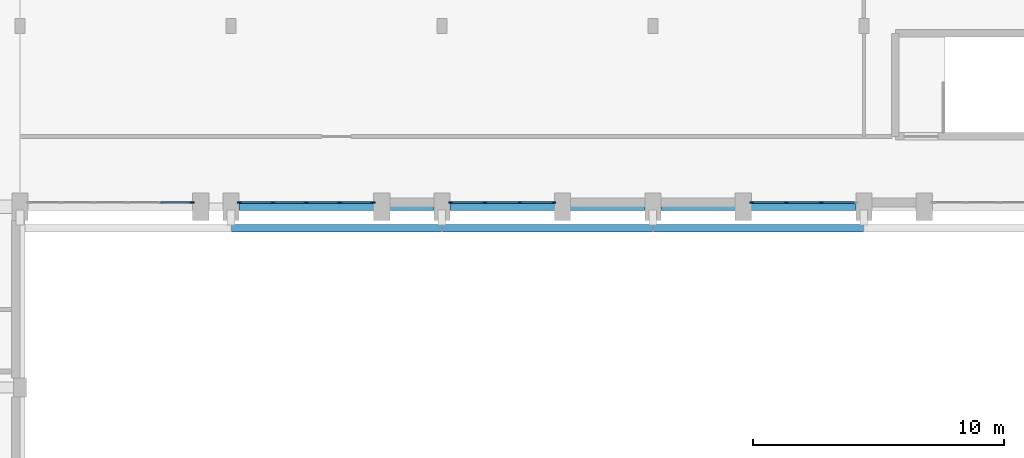
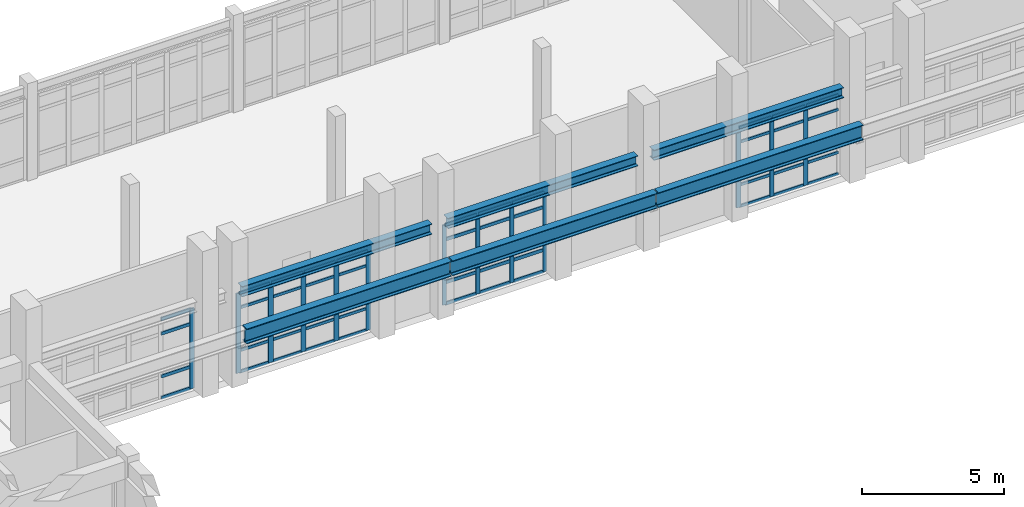
# One storey, part 89 of 147: 57 members, 6 beams, 4 elements without a shape of their own.
"""IFC4 building model written with IfcOpenShell, lengths in metres."""

from ifc_helpers import new_model, si_unit, direction, frame, origin, origin_2d, place, context, subcontext, project, spatial, rectangle, i_section, extrude, material, material_profile, profile_set, type_object, element, aggregate, save


model = new_model("IFC4")

# Units and contexts
model_context = context("Model", 3, precision=1e-05, world=origin(), true_north=direction((0.0, 1.0)))
body_context = subcontext(model_context, "Body", "Model", "MODEL_VIEW")
ifc_project = project(units=[si_unit("LENGTHUNIT", "METRE"), si_unit("AREAUNIT", "SQUARE_METRE"), si_unit("VOLUMEUNIT", "CUBIC_METRE"), si_unit("PLANEANGLEUNIT", "RADIAN"), si_unit("MASSUNIT", "GRAM", prefix="KILO")], contexts=[model_context])

# Site, building, storey
site_placement = place(None, origin())
site = spatial("IfcSite", under=ifc_project, at=site_placement, CompositionType="ELEMENT")
building_placement = place(site_placement, origin())
building = spatial("IfcBuilding", under=site, at=building_placement, Name="Malvenik Polytechnic", CompositionType="ELEMENT")
storey_placement = place(building_placement, frame((0.0, 0.0, 5.10009765625)))
storey = spatial("IfcBuildingStorey", under=building, at=storey_placement, Name="L01", CompositionType="ELEMENT", Elevation=5.10009765625)

# Curtain wall, members
ifc_material_1 = material(Name="Anodised aluminium 6060-T6", Category="aluminium")
curtain_wall_type_1 = type_object("IfcCurtainWallType", Name="ARC-CW-CW-11", PredefinedType="NOTDEFINED", material=ifc_material_1)
curtain_wall_1_placement = place(storey_placement, origin())
curtain_wall_1 = element("IfcCurtainWall", 1, at=curtain_wall_1_placement, inside=storey, type_object=curtain_wall_type_1, Name="Unitised Curtain Wall CW-11 L01 #74", PredefinedType="NOTDEFINED")
ifc_material_2 = material(Name="Anodised aluminium", Category="aluminium")
ifc_material_profile_1 = material_profile(ifc_material_2, rectangle(XDim=0.06005859375, YDim=0.159912109375, at=origin_2d()), Name="ALU MULLION 60x160")
ifc_profile_set_1 = profile_set([ifc_material_profile_1], Name="Anodised aluminium")
member_type_1 = type_object("IfcMemberType", Name="ARC-CWM-160", PredefinedType="MULLION", material=ifc_profile_set_1)
member_1_placement = place(storey_placement, frame((155.64697265625, 93.77001953125, 0.0), z_axis=(0.0, 0.0, 1.0), x_axis=(0.0, -1.0, 0.0)))
member_1 = element("IfcMember", 2, at=member_1_placement, type_object=member_type_1, Name="CW-11 mullion 1", PredefinedType="MULLION", context=body_context, shape_type="SweptSolid", body=[
    extrude(rectangle(XDim=0.06005859375, YDim=0.159912109375, at=origin_2d()), origin(), (0.0, 0.0, 1.0), 3.447998046875),
])
member_2_placement = place(storey_placement, frame((154.292236328125, 93.77001953125, 0.0), z_axis=(0.0, 0.0, 1.0), x_axis=(0.0, -1.0, 0.0)))
member_2 = element("IfcMember", 3, at=member_2_placement, type_object=member_type_1, Name="CW-11 mullion 2", PredefinedType="MULLION", context=body_context, shape_type="SweptSolid", body=[
    extrude(rectangle(XDim=0.06005859375, YDim=0.159912109375, at=origin_2d()), origin(), (0.0, 0.0, 1.0), 3.447998046875),
])
member_3_placement = place(storey_placement, frame((152.90771484375, 93.77001953125, 0.0), z_axis=(0.0, 0.0, 1.0), x_axis=(0.0, -1.0, 0.0)))
member_3 = element("IfcMember", 4, at=member_3_placement, type_object=member_type_1, Name="CW-11 mullion 3", PredefinedType="MULLION", context=body_context, shape_type="SweptSolid", body=[
    extrude(rectangle(XDim=0.06005859375, YDim=0.159912109375, at=origin_2d()), origin(), (0.0, 0.0, 1.0), 3.447998046875),
])
member_4_placement = place(storey_placement, frame((151.552978515625, 93.77001953125, 0.0), z_axis=(0.0, 0.0, 1.0), x_axis=(0.0, -1.0, 0.0)))
member_4 = element("IfcMember", 5, at=member_4_placement, type_object=member_type_1, Name="CW-11 mullion 4", PredefinedType="MULLION", context=body_context, shape_type="SweptSolid", body=[
    extrude(rectangle(XDim=0.06005859375, YDim=0.159912109375, at=origin_2d()), origin(), (0.0, 0.0, 1.0), 3.447998046875),
])

curtain_wall_2_placement = place(storey_placement, origin())
curtain_wall_2 = element("IfcCurtainWall", 6, at=curtain_wall_2_placement, inside=storey, type_object=curtain_wall_type_1, Name="Unitised Curtain Wall CW-11 L01 #73", PredefinedType="NOTDEFINED")
ifc_material_profile_2 = material_profile(ifc_material_2, rectangle(XDim=0.06005859375, YDim=0.179931640625, at=origin_2d()), Name="ALU MULLION 60x180")
ifc_profile_set_2 = profile_set([ifc_material_profile_2], Name="Anodised aluminium")
member_type_2 = type_object("IfcMemberType", Name="ARC-CWM-180", PredefinedType="MULLION", material=ifc_profile_set_2)
member_5_placement = place(storey_placement, frame((166.292236328125, 93.77001953125, 0.0), z_axis=(0.0, 0.0, 1.0), x_axis=(0.0, -1.0, 0.0)))
member_5 = element("IfcMember", 7, at=member_5_placement, type_object=member_type_2, Name="CW-11 mullion 2", PredefinedType="MULLION", context=body_context, shape_type="SweptSolid", body=[
    extrude(rectangle(XDim=0.06005859375, YDim=0.179931640625, at=origin_2d()), origin(), (0.0, 0.0, 1.0), 3.447998046875),
])
member_6_placement = place(storey_placement, frame((164.90771484375, 93.77001953125, 0.0), z_axis=(0.0, 0.0, 1.0), x_axis=(0.0, -1.0, 0.0)))
member_6 = element("IfcMember", 8, at=member_6_placement, type_object=member_type_2, Name="CW-11 mullion 3", PredefinedType="MULLION", context=body_context, shape_type="SweptSolid", body=[
    extrude(rectangle(XDim=0.06005859375, YDim=0.179931640625, at=origin_2d()), origin(), (0.0, 0.0, 1.0), 3.447998046875),
])
member_7_placement = place(storey_placement, frame((163.552978515625, 93.77001953125, 0.0), z_axis=(0.0, 0.0, 1.0), x_axis=(0.0, -1.0, 0.0)))
member_7 = element("IfcMember", 9, at=member_7_placement, type_object=member_type_2, Name="CW-11 mullion 4", PredefinedType="MULLION", context=body_context, shape_type="SweptSolid", body=[
    extrude(rectangle(XDim=0.06005859375, YDim=0.179931640625, at=origin_2d()), origin(), (0.0, 0.0, 1.0), 3.447998046875),
])

# Curtain wall, member
curtain_wall_type_2 = type_object("IfcCurtainWallType", Name="ARC-CW-CW-05", PredefinedType="NOTDEFINED", material=ifc_material_1)
curtain_wall_3_placement = place(storey_placement, origin())
curtain_wall_3 = element("IfcCurtainWall", 10, at=curtain_wall_3_placement, inside=storey, type_object=curtain_wall_type_2, Name="Unitised Curtain Wall CW-05 L01 #76", PredefinedType="NOTDEFINED")
member_8_placement = place(storey_placement, frame((141.2470703125, 93.77001953125, 0.0), z_axis=(0.0, 0.0, 1.0), x_axis=(0.0, -1.0, 0.0)))
member_8 = element("IfcMember", 11, at=member_8_placement, type_object=member_type_2, Name="CW-05 mullion 1", PredefinedType="MULLION", context=body_context, shape_type="SweptSolid", body=[
    extrude(rectangle(XDim=0.06005859375, YDim=0.179931640625, at=origin_2d()), origin(), (0.0, 0.0, 1.0), 3.447998046875),
])

# Curtain wall, members
curtain_wall_type_3 = type_object("IfcCurtainWallType", Name="ARC-CW-CW-15", PredefinedType="NOTDEFINED", material=ifc_material_1)
curtain_wall_4_placement = place(storey_placement, origin())
curtain_wall_4 = element("IfcCurtainWall", 12, at=curtain_wall_4_placement, inside=storey, type_object=curtain_wall_type_3, Name="Unitised Curtain Wall CW-15 L01 #75", PredefinedType="NOTDEFINED")
ifc_material_profile_3 = material_profile(ifc_material_2, rectangle(XDim=0.06005859375, YDim=0.199951171875, at=origin_2d()), Name="ALU MULLION 60x200")
ifc_profile_set_3 = profile_set([ifc_material_profile_3], Name="Anodised aluminium")
member_type_3 = type_object("IfcMemberType", Name="ARC-CWM-200", PredefinedType="MULLION", material=ifc_profile_set_3)
member_9_placement = place(storey_placement, frame((148.447021484375, 93.77001953125, 0.0), z_axis=(0.0, 0.0, 1.0), x_axis=(0.0, -1.0, 0.0)))
member_9 = element("IfcMember", 13, at=member_9_placement, type_object=member_type_3, Name="CW-15 mullion 1", PredefinedType="MULLION", context=body_context, shape_type="SweptSolid", body=[
    extrude(rectangle(XDim=0.06005859375, YDim=0.199951171875, at=origin_2d()), origin(), (0.0, 0.0, 1.0), 3.447998046875),
])
member_10_placement = place(storey_placement, frame((147.138427734375, 93.77001953125, 0.0), z_axis=(0.0, 0.0, 1.0), x_axis=(0.0, -1.0, 0.0)))
member_10 = element("IfcMember", 14, at=member_10_placement, type_object=member_type_3, Name="CW-15 mullion 2", PredefinedType="MULLION", context=body_context, shape_type="SweptSolid", body=[
    extrude(rectangle(XDim=0.06005859375, YDim=0.199951171875, at=origin_2d()), origin(), (0.0, 0.0, 1.0), 3.447998046875),
])
member_11_placement = place(storey_placement, frame((145.800048828125, 93.77001953125, 0.0), z_axis=(0.0, 0.0, 1.0), x_axis=(0.0, -1.0, 0.0)))
member_11 = element("IfcMember", 15, at=member_11_placement, type_object=member_type_3, Name="CW-15 mullion 3", PredefinedType="MULLION", context=body_context, shape_type="SweptSolid", body=[
    extrude(rectangle(XDim=0.06005859375, YDim=0.199951171875, at=origin_2d()), origin(), (0.0, 0.0, 1.0), 3.447998046875),
])
member_12_placement = place(storey_placement, frame((144.46142578125, 93.77001953125, 0.0), z_axis=(0.0, 0.0, 1.0), x_axis=(0.0, -1.0, 0.0)))
member_12 = element("IfcMember", 16, at=member_12_placement, type_object=member_type_3, Name="CW-15 mullion 4", PredefinedType="MULLION", context=body_context, shape_type="SweptSolid", body=[
    extrude(rectangle(XDim=0.06005859375, YDim=0.199951171875, at=origin_2d()), origin(), (0.0, 0.0, 1.0), 3.447998046875),
])
member_13_placement = place(storey_placement, frame((143.153076171875, 93.77001953125, 0.0), z_axis=(0.0, 0.0, 1.0), x_axis=(0.0, -1.0, 0.0)))
member_13 = element("IfcMember", 17, at=member_13_placement, type_object=member_type_3, Name="CW-15 mullion 5", PredefinedType="MULLION", context=body_context, shape_type="SweptSolid", body=[
    extrude(rectangle(XDim=0.06005859375, YDim=0.199951171875, at=origin_2d()), origin(), (0.0, 0.0, 1.0), 3.447998046875),
])

# Member
ifc_material_profile_4 = material_profile(ifc_material_2, rectangle(XDim=0.06005859375, YDim=0.1201171875, at=origin_2d()), Name="ALU TRANSOM 60x120")
ifc_profile_set_4 = profile_set([ifc_material_profile_4], Name="Anodised aluminium")
member_type_4 = type_object("IfcMemberType", Name="ARC-CWT-120", PredefinedType="USERDEFINED", material=ifc_profile_set_4)
member_14_placement = place(storey_placement, frame((167.616943359375, 93.77001953125, 0.02978515625), z_axis=(-1.0, 0.0, 0.0), x_axis=(0.0, -1.0, 0.0)))
member_14 = element("IfcMember", 18, at=member_14_placement, type_object=member_type_4, Name="CW-11 transom 1.1", ObjectType="TRANSOM", PredefinedType="USERDEFINED", context=body_context, shape_type="SweptSolid", body=[
    extrude(rectangle(XDim=0.06005859375, YDim=0.1201171875, at=origin_2d()), origin(), (0.0, 0.0, 1.0), 1.294677734375),
])

member_15_placement = place(storey_placement, frame((167.616943359375, 93.77001953125, 0.949951171875), z_axis=(-1.0, 0.0, 0.0), x_axis=(0.0, -1.0, 0.0)))
member_15 = element("IfcMember", 19, at=member_15_placement, type_object=member_type_4, Name="CW-11 transom 1.2", ObjectType="TRANSOM", PredefinedType="USERDEFINED", context=body_context, shape_type="SweptSolid", body=[
    extrude(rectangle(XDim=0.06005859375, YDim=0.1201171875, at=origin_2d()), origin(), (0.0, 0.0, 1.0), 1.294677734375),
])

member_16_placement = place(storey_placement, frame((167.616943359375, 93.77001953125, 2.7978515625), z_axis=(-1.0, 0.0, 0.0), x_axis=(0.0, -1.0, 0.0)))
member_16 = element("IfcMember", 20, at=member_16_placement, type_object=member_type_4, Name="CW-11 transom 1.3", ObjectType="TRANSOM", PredefinedType="USERDEFINED", context=body_context, shape_type="SweptSolid", body=[
    extrude(rectangle(XDim=0.06005859375, YDim=0.1201171875, at=origin_2d()), origin(), (0.0, 0.0, 1.0), 1.294677734375),
])

member_17_placement = place(storey_placement, frame((167.616943359375, 93.77001953125, 3.41796875), z_axis=(-1.0, 0.0, 0.0), x_axis=(0.0, -1.0, 0.0)))
member_17 = element("IfcMember", 21, at=member_17_placement, type_object=member_type_4, Name="CW-11 transom 1.4", ObjectType="TRANSOM", PredefinedType="USERDEFINED", context=body_context, shape_type="SweptSolid", body=[
    extrude(rectangle(XDim=0.06005859375, YDim=0.1201171875, at=origin_2d()), origin(), (0.0, 0.0, 1.0), 1.294677734375),
])

member_18_placement = place(storey_placement, frame((166.262451171875, 93.77001953125, 0.02978515625), z_axis=(-1.0, 0.0, 0.0), x_axis=(0.0, -1.0, 0.0)))
member_18 = element("IfcMember", 22, at=member_18_placement, type_object=member_type_4, Name="CW-11 transom 2.1", ObjectType="TRANSOM", PredefinedType="USERDEFINED", context=body_context, shape_type="SweptSolid", body=[
    extrude(rectangle(XDim=0.06005859375, YDim=0.1201171875, at=origin_2d()), origin(), (0.0, 0.0, 1.0), 1.32470703125),
])

member_19_placement = place(storey_placement, frame((166.262451171875, 93.77001953125, 0.949951171875), z_axis=(-1.0, 0.0, 0.0), x_axis=(0.0, -1.0, 0.0)))
member_19 = element("IfcMember", 23, at=member_19_placement, type_object=member_type_4, Name="CW-11 transom 2.2", ObjectType="TRANSOM", PredefinedType="USERDEFINED", context=body_context, shape_type="SweptSolid", body=[
    extrude(rectangle(XDim=0.06005859375, YDim=0.1201171875, at=origin_2d()), origin(), (0.0, 0.0, 1.0), 1.32470703125),
])

member_20_placement = place(storey_placement, frame((166.262451171875, 93.77001953125, 2.7978515625), z_axis=(-1.0, 0.0, 0.0), x_axis=(0.0, -1.0, 0.0)))
member_20 = element("IfcMember", 24, at=member_20_placement, type_object=member_type_4, Name="CW-11 transom 2.3", ObjectType="TRANSOM", PredefinedType="USERDEFINED", context=body_context, shape_type="SweptSolid", body=[
    extrude(rectangle(XDim=0.06005859375, YDim=0.1201171875, at=origin_2d()), origin(), (0.0, 0.0, 1.0), 1.32470703125),
])

member_21_placement = place(storey_placement, frame((166.262451171875, 93.77001953125, 3.41796875), z_axis=(-1.0, 0.0, 0.0), x_axis=(0.0, -1.0, 0.0)))
member_21 = element("IfcMember", 25, at=member_21_placement, type_object=member_type_4, Name="CW-11 transom 2.4", ObjectType="TRANSOM", PredefinedType="USERDEFINED", context=body_context, shape_type="SweptSolid", body=[
    extrude(rectangle(XDim=0.06005859375, YDim=0.1201171875, at=origin_2d()), origin(), (0.0, 0.0, 1.0), 1.32470703125),
])

member_22_placement = place(storey_placement, frame((164.877685546875, 93.77001953125, 0.02978515625), z_axis=(-1.0, 0.0, 0.0), x_axis=(0.0, -1.0, 0.0)))
member_22 = element("IfcMember", 26, at=member_22_placement, type_object=member_type_4, Name="CW-11 transom 3.1", ObjectType="TRANSOM", PredefinedType="USERDEFINED", context=body_context, shape_type="SweptSolid", body=[
    extrude(rectangle(XDim=0.06005859375, YDim=0.1201171875, at=origin_2d()), origin(), (0.0, 0.0, 1.0), 1.294677734375),
])

member_23_placement = place(storey_placement, frame((164.877685546875, 93.77001953125, 0.949951171875), z_axis=(-1.0, 0.0, 0.0), x_axis=(0.0, -1.0, 0.0)))
member_23 = element("IfcMember", 27, at=member_23_placement, type_object=member_type_4, Name="CW-11 transom 3.2", ObjectType="TRANSOM", PredefinedType="USERDEFINED", context=body_context, shape_type="SweptSolid", body=[
    extrude(rectangle(XDim=0.06005859375, YDim=0.1201171875, at=origin_2d()), origin(), (0.0, 0.0, 1.0), 1.294677734375),
])

member_24_placement = place(storey_placement, frame((164.877685546875, 93.77001953125, 2.7978515625), z_axis=(-1.0, 0.0, 0.0), x_axis=(0.0, -1.0, 0.0)))
member_24 = element("IfcMember", 28, at=member_24_placement, type_object=member_type_4, Name="CW-11 transom 3.3", ObjectType="TRANSOM", PredefinedType="USERDEFINED", context=body_context, shape_type="SweptSolid", body=[
    extrude(rectangle(XDim=0.06005859375, YDim=0.1201171875, at=origin_2d()), origin(), (0.0, 0.0, 1.0), 1.294677734375),
])

member_25_placement = place(storey_placement, frame((164.877685546875, 93.77001953125, 3.41796875), z_axis=(-1.0, 0.0, 0.0), x_axis=(0.0, -1.0, 0.0)))
member_25 = element("IfcMember", 29, at=member_25_placement, type_object=member_type_4, Name="CW-11 transom 3.4", ObjectType="TRANSOM", PredefinedType="USERDEFINED", context=body_context, shape_type="SweptSolid", body=[
    extrude(rectangle(XDim=0.06005859375, YDim=0.1201171875, at=origin_2d()), origin(), (0.0, 0.0, 1.0), 1.294677734375),
])

aggregate(curtain_wall_2, [member_5, member_6, member_7, member_14, member_15, member_16, member_17, member_18, member_19, member_20, member_21, member_22, member_23, member_24, member_25])

member_26_placement = place(storey_placement, frame((148.4169921875, 93.77001953125, 0.02978515625), z_axis=(-1.0, 0.0, 0.0), x_axis=(0.0, -1.0, 0.0)))
member_26 = element("IfcMember", 30, at=member_26_placement, type_object=member_type_4, Name="CW-15 transom 1.1", ObjectType="TRANSOM", PredefinedType="USERDEFINED", context=body_context, shape_type="SweptSolid", body=[
    extrude(rectangle(XDim=0.06005859375, YDim=0.1201171875, at=origin_2d()), origin(), (0.0, 0.0, 1.0), 1.24853515625),
])

member_27_placement = place(storey_placement, frame((148.4169921875, 93.77001953125, 0.949951171875), z_axis=(-1.0, 0.0, 0.0), x_axis=(0.0, -1.0, 0.0)))
member_27 = element("IfcMember", 31, at=member_27_placement, type_object=member_type_4, Name="CW-15 transom 1.2", ObjectType="TRANSOM", PredefinedType="USERDEFINED", context=body_context, shape_type="SweptSolid", body=[
    extrude(rectangle(XDim=0.06005859375, YDim=0.1201171875, at=origin_2d()), origin(), (0.0, 0.0, 1.0), 1.24853515625),
])

member_28_placement = place(storey_placement, frame((148.4169921875, 93.77001953125, 2.7978515625), z_axis=(-1.0, 0.0, 0.0), x_axis=(0.0, -1.0, 0.0)))
member_28 = element("IfcMember", 32, at=member_28_placement, type_object=member_type_4, Name="CW-15 transom 1.3", ObjectType="TRANSOM", PredefinedType="USERDEFINED", context=body_context, shape_type="SweptSolid", body=[
    extrude(rectangle(XDim=0.06005859375, YDim=0.1201171875, at=origin_2d()), origin(), (0.0, 0.0, 1.0), 1.24853515625),
])

member_29_placement = place(storey_placement, frame((148.4169921875, 93.77001953125, 3.41796875), z_axis=(-1.0, 0.0, 0.0), x_axis=(0.0, -1.0, 0.0)))
member_29 = element("IfcMember", 33, at=member_29_placement, type_object=member_type_4, Name="CW-15 transom 1.4", ObjectType="TRANSOM", PredefinedType="USERDEFINED", context=body_context, shape_type="SweptSolid", body=[
    extrude(rectangle(XDim=0.06005859375, YDim=0.1201171875, at=origin_2d()), origin(), (0.0, 0.0, 1.0), 1.24853515625),
])

member_30_placement = place(storey_placement, frame((147.1083984375, 93.77001953125, 0.02978515625), z_axis=(-1.0, 0.0, 0.0), x_axis=(0.0, -1.0, 0.0)))
member_30 = element("IfcMember", 34, at=member_30_placement, type_object=member_type_4, Name="CW-15 transom 2.1", ObjectType="TRANSOM", PredefinedType="USERDEFINED", context=body_context, shape_type="SweptSolid", body=[
    extrude(rectangle(XDim=0.06005859375, YDim=0.1201171875, at=origin_2d()), origin(), (0.0, 0.0, 1.0), 1.2783203125),
])

member_31_placement = place(storey_placement, frame((147.1083984375, 93.77001953125, 0.949951171875), z_axis=(-1.0, 0.0, 0.0), x_axis=(0.0, -1.0, 0.0)))
member_31 = element("IfcMember", 35, at=member_31_placement, type_object=member_type_4, Name="CW-15 transom 2.2", ObjectType="TRANSOM", PredefinedType="USERDEFINED", context=body_context, shape_type="SweptSolid", body=[
    extrude(rectangle(XDim=0.06005859375, YDim=0.1201171875, at=origin_2d()), origin(), (0.0, 0.0, 1.0), 1.2783203125),
])

member_32_placement = place(storey_placement, frame((147.1083984375, 93.77001953125, 2.7978515625), z_axis=(-1.0, 0.0, 0.0), x_axis=(0.0, -1.0, 0.0)))
member_32 = element("IfcMember", 36, at=member_32_placement, type_object=member_type_4, Name="CW-15 transom 2.3", ObjectType="TRANSOM", PredefinedType="USERDEFINED", context=body_context, shape_type="SweptSolid", body=[
    extrude(rectangle(XDim=0.06005859375, YDim=0.1201171875, at=origin_2d()), origin(), (0.0, 0.0, 1.0), 1.2783203125),
])

member_33_placement = place(storey_placement, frame((147.1083984375, 93.77001953125, 3.41796875), z_axis=(-1.0, 0.0, 0.0), x_axis=(0.0, -1.0, 0.0)))
member_33 = element("IfcMember", 37, at=member_33_placement, type_object=member_type_4, Name="CW-15 transom 2.4", ObjectType="TRANSOM", PredefinedType="USERDEFINED", context=body_context, shape_type="SweptSolid", body=[
    extrude(rectangle(XDim=0.06005859375, YDim=0.1201171875, at=origin_2d()), origin(), (0.0, 0.0, 1.0), 1.2783203125),
])

member_34_placement = place(storey_placement, frame((145.77001953125, 93.77001953125, 0.02978515625), z_axis=(-1.0, 0.0, 0.0), x_axis=(0.0, -1.0, 0.0)))
member_34 = element("IfcMember", 38, at=member_34_placement, type_object=member_type_4, Name="CW-15 transom 3.1", ObjectType="TRANSOM", PredefinedType="USERDEFINED", context=body_context, shape_type="SweptSolid", body=[
    extrude(rectangle(XDim=0.06005859375, YDim=0.1201171875, at=origin_2d()), origin(), (0.0, 0.0, 1.0), 1.278564453125),
])

member_35_placement = place(storey_placement, frame((145.77001953125, 93.77001953125, 0.949951171875), z_axis=(-1.0, 0.0, 0.0), x_axis=(0.0, -1.0, 0.0)))
member_35 = element("IfcMember", 39, at=member_35_placement, type_object=member_type_4, Name="CW-15 transom 3.2", ObjectType="TRANSOM", PredefinedType="USERDEFINED", context=body_context, shape_type="SweptSolid", body=[
    extrude(rectangle(XDim=0.06005859375, YDim=0.1201171875, at=origin_2d()), origin(), (0.0, 0.0, 1.0), 1.278564453125),
])

member_36_placement = place(storey_placement, frame((145.77001953125, 93.77001953125, 2.7978515625), z_axis=(-1.0, 0.0, 0.0), x_axis=(0.0, -1.0, 0.0)))
member_36 = element("IfcMember", 40, at=member_36_placement, type_object=member_type_4, Name="CW-15 transom 3.3", ObjectType="TRANSOM", PredefinedType="USERDEFINED", context=body_context, shape_type="SweptSolid", body=[
    extrude(rectangle(XDim=0.06005859375, YDim=0.1201171875, at=origin_2d()), origin(), (0.0, 0.0, 1.0), 1.278564453125),
])

member_37_placement = place(storey_placement, frame((145.77001953125, 93.77001953125, 3.41796875), z_axis=(-1.0, 0.0, 0.0), x_axis=(0.0, -1.0, 0.0)))
member_37 = element("IfcMember", 41, at=member_37_placement, type_object=member_type_4, Name="CW-15 transom 3.4", ObjectType="TRANSOM", PredefinedType="USERDEFINED", context=body_context, shape_type="SweptSolid", body=[
    extrude(rectangle(XDim=0.06005859375, YDim=0.1201171875, at=origin_2d()), origin(), (0.0, 0.0, 1.0), 1.278564453125),
])

member_38_placement = place(storey_placement, frame((144.431396484375, 93.77001953125, 0.02978515625), z_axis=(-1.0, 0.0, 0.0), x_axis=(0.0, -1.0, 0.0)))
member_38 = element("IfcMember", 42, at=member_38_placement, type_object=member_type_4, Name="CW-15 transom 4.1", ObjectType="TRANSOM", PredefinedType="USERDEFINED", context=body_context, shape_type="SweptSolid", body=[
    extrude(rectangle(XDim=0.06005859375, YDim=0.1201171875, at=origin_2d()), origin(), (0.0, 0.0, 1.0), 1.248291015625),
])

member_39_placement = place(storey_placement, frame((144.431396484375, 93.77001953125, 0.949951171875), z_axis=(-1.0, 0.0, 0.0), x_axis=(0.0, -1.0, 0.0)))
member_39 = element("IfcMember", 43, at=member_39_placement, type_object=member_type_4, Name="CW-15 transom 4.2", ObjectType="TRANSOM", PredefinedType="USERDEFINED", context=body_context, shape_type="SweptSolid", body=[
    extrude(rectangle(XDim=0.06005859375, YDim=0.1201171875, at=origin_2d()), origin(), (0.0, 0.0, 1.0), 1.248291015625),
])

member_40_placement = place(storey_placement, frame((144.431396484375, 93.77001953125, 2.7978515625), z_axis=(-1.0, 0.0, 0.0), x_axis=(0.0, -1.0, 0.0)))
member_40 = element("IfcMember", 44, at=member_40_placement, type_object=member_type_4, Name="CW-15 transom 4.3", ObjectType="TRANSOM", PredefinedType="USERDEFINED", context=body_context, shape_type="SweptSolid", body=[
    extrude(rectangle(XDim=0.06005859375, YDim=0.1201171875, at=origin_2d()), origin(), (0.0, 0.0, 1.0), 1.248291015625),
])

member_41_placement = place(storey_placement, frame((144.431396484375, 93.77001953125, 3.41796875), z_axis=(-1.0, 0.0, 0.0), x_axis=(0.0, -1.0, 0.0)))
member_41 = element("IfcMember", 45, at=member_41_placement, type_object=member_type_4, Name="CW-15 transom 4.4", ObjectType="TRANSOM", PredefinedType="USERDEFINED", context=body_context, shape_type="SweptSolid", body=[
    extrude(rectangle(XDim=0.06005859375, YDim=0.1201171875, at=origin_2d()), origin(), (0.0, 0.0, 1.0), 1.248291015625),
])

aggregate(curtain_wall_4, [member_9, member_10, member_11, member_12, member_13, member_26, member_27, member_28, member_29, member_30, member_31, member_32, member_33, member_34, member_35, member_36, member_37, member_38, member_39, member_40, member_41])

ifc_material_profile_5 = material_profile(ifc_material_2, rectangle(XDim=0.06005859375, YDim=0.139892578125, at=origin_2d()), Name="ALU TRANSOM 60x140")
ifc_profile_set_5 = profile_set([ifc_material_profile_5], Name="Anodised aluminium")
member_type_5 = type_object("IfcMemberType", Name="ARC-CWT-140", PredefinedType="USERDEFINED", material=ifc_profile_set_5)
member_42_placement = place(storey_placement, frame((155.616943359375, 93.77001953125, 0.02978515625), z_axis=(-1.0, 0.0, 0.0), x_axis=(0.0, -1.0, 0.0)))
member_42 = element("IfcMember", 46, at=member_42_placement, type_object=member_type_5, Name="CW-11 transom 1.1", ObjectType="TRANSOM", PredefinedType="USERDEFINED", context=body_context, shape_type="SweptSolid", body=[
    extrude(rectangle(XDim=0.06005859375, YDim=0.139892578125, at=origin_2d()), origin(), (0.0, 0.0, 1.0), 1.294677734375),
])

member_43_placement = place(storey_placement, frame((155.616943359375, 93.77001953125, 0.949951171875), z_axis=(-1.0, 0.0, 0.0), x_axis=(0.0, -1.0, 0.0)))
member_43 = element("IfcMember", 47, at=member_43_placement, type_object=member_type_5, Name="CW-11 transom 1.2", ObjectType="TRANSOM", PredefinedType="USERDEFINED", context=body_context, shape_type="SweptSolid", body=[
    extrude(rectangle(XDim=0.06005859375, YDim=0.139892578125, at=origin_2d()), origin(), (0.0, 0.0, 1.0), 1.294677734375),
])

member_44_placement = place(storey_placement, frame((155.616943359375, 93.77001953125, 2.7978515625), z_axis=(-1.0, 0.0, 0.0), x_axis=(0.0, -1.0, 0.0)))
member_44 = element("IfcMember", 48, at=member_44_placement, type_object=member_type_5, Name="CW-11 transom 1.3", ObjectType="TRANSOM", PredefinedType="USERDEFINED", context=body_context, shape_type="SweptSolid", body=[
    extrude(rectangle(XDim=0.06005859375, YDim=0.139892578125, at=origin_2d()), origin(), (0.0, 0.0, 1.0), 1.294677734375),
])

member_45_placement = place(storey_placement, frame((155.616943359375, 93.77001953125, 3.41796875), z_axis=(-1.0, 0.0, 0.0), x_axis=(0.0, -1.0, 0.0)))
member_45 = element("IfcMember", 49, at=member_45_placement, type_object=member_type_5, Name="CW-11 transom 1.4", ObjectType="TRANSOM", PredefinedType="USERDEFINED", context=body_context, shape_type="SweptSolid", body=[
    extrude(rectangle(XDim=0.06005859375, YDim=0.139892578125, at=origin_2d()), origin(), (0.0, 0.0, 1.0), 1.294677734375),
])

member_46_placement = place(storey_placement, frame((154.262451171875, 93.77001953125, 0.02978515625), z_axis=(-1.0, 0.0, 0.0), x_axis=(0.0, -1.0, 0.0)))
member_46 = element("IfcMember", 50, at=member_46_placement, type_object=member_type_5, Name="CW-11 transom 2.1", ObjectType="TRANSOM", PredefinedType="USERDEFINED", context=body_context, shape_type="SweptSolid", body=[
    extrude(rectangle(XDim=0.06005859375, YDim=0.139892578125, at=origin_2d()), origin(), (0.0, 0.0, 1.0), 1.32470703125),
])

member_47_placement = place(storey_placement, frame((154.262451171875, 93.77001953125, 0.949951171875), z_axis=(-1.0, 0.0, 0.0), x_axis=(0.0, -1.0, 0.0)))
member_47 = element("IfcMember", 51, at=member_47_placement, type_object=member_type_5, Name="CW-11 transom 2.2", ObjectType="TRANSOM", PredefinedType="USERDEFINED", context=body_context, shape_type="SweptSolid", body=[
    extrude(rectangle(XDim=0.06005859375, YDim=0.139892578125, at=origin_2d()), origin(), (0.0, 0.0, 1.0), 1.32470703125),
])

member_48_placement = place(storey_placement, frame((154.262451171875, 93.77001953125, 2.7978515625), z_axis=(-1.0, 0.0, 0.0), x_axis=(0.0, -1.0, 0.0)))
member_48 = element("IfcMember", 52, at=member_48_placement, type_object=member_type_5, Name="CW-11 transom 2.3", ObjectType="TRANSOM", PredefinedType="USERDEFINED", context=body_context, shape_type="SweptSolid", body=[
    extrude(rectangle(XDim=0.06005859375, YDim=0.139892578125, at=origin_2d()), origin(), (0.0, 0.0, 1.0), 1.32470703125),
])

member_49_placement = place(storey_placement, frame((154.262451171875, 93.77001953125, 3.41796875), z_axis=(-1.0, 0.0, 0.0), x_axis=(0.0, -1.0, 0.0)))
member_49 = element("IfcMember", 53, at=member_49_placement, type_object=member_type_5, Name="CW-11 transom 2.4", ObjectType="TRANSOM", PredefinedType="USERDEFINED", context=body_context, shape_type="SweptSolid", body=[
    extrude(rectangle(XDim=0.06005859375, YDim=0.139892578125, at=origin_2d()), origin(), (0.0, 0.0, 1.0), 1.32470703125),
])

member_50_placement = place(storey_placement, frame((152.877685546875, 93.77001953125, 0.02978515625), z_axis=(-1.0, 0.0, 0.0), x_axis=(0.0, -1.0, 0.0)))
member_50 = element("IfcMember", 54, at=member_50_placement, type_object=member_type_5, Name="CW-11 transom 3.1", ObjectType="TRANSOM", PredefinedType="USERDEFINED", context=body_context, shape_type="SweptSolid", body=[
    extrude(rectangle(XDim=0.06005859375, YDim=0.139892578125, at=origin_2d()), origin(), (0.0, 0.0, 1.0), 1.294677734375),
])

member_51_placement = place(storey_placement, frame((152.877685546875, 93.77001953125, 0.949951171875), z_axis=(-1.0, 0.0, 0.0), x_axis=(0.0, -1.0, 0.0)))
member_51 = element("IfcMember", 55, at=member_51_placement, type_object=member_type_5, Name="CW-11 transom 3.2", ObjectType="TRANSOM", PredefinedType="USERDEFINED", context=body_context, shape_type="SweptSolid", body=[
    extrude(rectangle(XDim=0.06005859375, YDim=0.139892578125, at=origin_2d()), origin(), (0.0, 0.0, 1.0), 1.294677734375),
])

member_52_placement = place(storey_placement, frame((152.877685546875, 93.77001953125, 2.7978515625), z_axis=(-1.0, 0.0, 0.0), x_axis=(0.0, -1.0, 0.0)))
member_52 = element("IfcMember", 56, at=member_52_placement, type_object=member_type_5, Name="CW-11 transom 3.3", ObjectType="TRANSOM", PredefinedType="USERDEFINED", context=body_context, shape_type="SweptSolid", body=[
    extrude(rectangle(XDim=0.06005859375, YDim=0.139892578125, at=origin_2d()), origin(), (0.0, 0.0, 1.0), 1.294677734375),
])

member_53_placement = place(storey_placement, frame((152.877685546875, 93.77001953125, 3.41796875), z_axis=(-1.0, 0.0, 0.0), x_axis=(0.0, -1.0, 0.0)))
member_53 = element("IfcMember", 57, at=member_53_placement, type_object=member_type_5, Name="CW-11 transom 3.4", ObjectType="TRANSOM", PredefinedType="USERDEFINED", context=body_context, shape_type="SweptSolid", body=[
    extrude(rectangle(XDim=0.06005859375, YDim=0.139892578125, at=origin_2d()), origin(), (0.0, 0.0, 1.0), 1.294677734375),
])

aggregate(curtain_wall_1, [member_1, member_2, member_3, member_4, member_42, member_43, member_44, member_45, member_46, member_47, member_48, member_49, member_50, member_51, member_52, member_53])

member_54_placement = place(storey_placement, frame((141.217041015625, 93.77001953125, 0.02978515625), z_axis=(-1.0, 0.0, 0.0), x_axis=(0.0, -1.0, 0.0)))
member_54 = element("IfcMember", 58, at=member_54_placement, type_object=member_type_5, Name="CW-05 transom 1.1", ObjectType="TRANSOM", PredefinedType="USERDEFINED", context=body_context, shape_type="SweptSolid", body=[
    extrude(rectangle(XDim=0.06005859375, YDim=0.139892578125, at=origin_2d()), origin(), (0.0, 0.0, 1.0), 1.220947265625),
])

member_55_placement = place(storey_placement, frame((141.217041015625, 93.77001953125, 0.949951171875), z_axis=(-1.0, 0.0, 0.0), x_axis=(0.0, -1.0, 0.0)))
member_55 = element("IfcMember", 59, at=member_55_placement, type_object=member_type_5, Name="CW-05 transom 1.2", ObjectType="TRANSOM", PredefinedType="USERDEFINED", context=body_context, shape_type="SweptSolid", body=[
    extrude(rectangle(XDim=0.06005859375, YDim=0.139892578125, at=origin_2d()), origin(), (0.0, 0.0, 1.0), 1.220947265625),
])

member_56_placement = place(storey_placement, frame((141.217041015625, 93.77001953125, 2.7978515625), z_axis=(-1.0, 0.0, 0.0), x_axis=(0.0, -1.0, 0.0)))
member_56 = element("IfcMember", 60, at=member_56_placement, type_object=member_type_5, Name="CW-05 transom 1.3", ObjectType="TRANSOM", PredefinedType="USERDEFINED", context=body_context, shape_type="SweptSolid", body=[
    extrude(rectangle(XDim=0.06005859375, YDim=0.139892578125, at=origin_2d()), origin(), (0.0, 0.0, 1.0), 1.220947265625),
])

member_57_placement = place(storey_placement, frame((141.217041015625, 93.77001953125, 3.41796875), z_axis=(-1.0, 0.0, 0.0), x_axis=(0.0, -1.0, 0.0)))
member_57 = element("IfcMember", 61, at=member_57_placement, type_object=member_type_5, Name="CW-05 transom 1.4", ObjectType="TRANSOM", PredefinedType="USERDEFINED", context=body_context, shape_type="SweptSolid", body=[
    extrude(rectangle(XDim=0.06005859375, YDim=0.139892578125, at=origin_2d()), origin(), (0.0, 0.0, 1.0), 1.220947265625),
])

aggregate(curtain_wall_3, [member_8, member_54, member_55, member_56, member_57])

# Beams
ifc_material_3 = material(Name="Steel S355", Category="steel")
ifc_material_profile_6 = material_profile(ifc_material_3, i_section(OverallWidth=0.300048828125, OverallDepth=0.64990234375, WebThickness=0.01611328125, FlangeThickness=0.031005859375, FilletRadius=0.027099609375, at=origin_2d()), Name="HEB 650")
ifc_profile_set_6 = profile_set([ifc_material_profile_6], Name="Steel S355")
beam_type_1 = type_object("IfcBeamType", Name="STR-BM-CB-01", PredefinedType="BEAM", material=ifc_profile_set_6)
beam_1_placement = place(storey_placement, frame((142.820068359375, 92.75, 2.375), z_axis=(1.0, 0.0, 0.0), x_axis=(0.0, 1.0, 0.0)))
element("IfcBeam", 62, at=beam_1_placement, inside=storey, type_object=beam_type_1, Name="100 kN Crane Runway Girder CB-01 #2.2", PredefinedType="BEAM", context=body_context, shape_type="SweptSolid", body=[
    extrude(i_section(OverallWidth=0.300048828125, OverallDepth=0.64990234375, WebThickness=0.01611328125, FlangeThickness=0.031005859375, FilletRadius=0.027099609375, at=origin_2d()), origin(), (0.0, 0.0, 1.0), 8.35986328125),
])
beam_2_placement = place(storey_placement, frame((151.219970703125, 92.75, 2.375), z_axis=(1.0, 0.0, 0.0), x_axis=(0.0, 1.0, 0.0)))
element("IfcBeam", 63, at=beam_2_placement, inside=storey, type_object=beam_type_1, Name="100 kN Crane Runway Girder CB-01 #2.3", PredefinedType="BEAM", context=body_context, shape_type="SweptSolid", body=[
    extrude(i_section(OverallWidth=0.300048828125, OverallDepth=0.64990234375, WebThickness=0.01611328125, FlangeThickness=0.031005859375, FilletRadius=0.027099609375, at=origin_2d()), origin(), (0.0, 0.0, 1.0), 8.360107421875),
])
beam_3_placement = place(storey_placement, frame((159.6201171875, 92.75, 2.375), z_axis=(1.0, 0.0, 0.0), x_axis=(0.0, 1.0, 0.0)))
element("IfcBeam", 64, at=beam_3_placement, inside=storey, type_object=beam_type_1, Name="100 kN Crane Runway Girder CB-01 #2.4", PredefinedType="BEAM", context=body_context, shape_type="SweptSolid", body=[
    extrude(i_section(OverallWidth=0.300048828125, OverallDepth=0.64990234375, WebThickness=0.01611328125, FlangeThickness=0.031005859375, FilletRadius=0.027099609375, at=origin_2d()), origin(), (0.0, 0.0, 1.0), 8.35986328125),
])
ifc_material_profile_7 = material_profile(ifc_material_3, i_section(OverallWidth=0.300048828125, OverallDepth=0.449951171875, WebThickness=0.013916015625, FlangeThickness=0.02587890625, FilletRadius=0.027099609375, at=origin_2d()), Name="HEB 450")
ifc_profile_set_7 = profile_set([ifc_material_profile_7], Name="Steel S355")
beam_type_2 = type_object("IfcBeamType", Name="STR-BM-SB-02", PredefinedType="BEAM", material=ifc_profile_set_7)
beam_4_placement = place(storey_placement, frame((143.123046875, 93.60009765625, 3.682861328125), z_axis=(1.0, 0.0, 0.0), x_axis=(0.0, 1.0, 0.0)))
element("IfcBeam", 65, at=beam_4_placement, inside=storey, type_object=beam_type_2, Name="Beam SB-02 #2", PredefinedType="BEAM", context=body_context, shape_type="SweptSolid", body=[
    extrude(i_section(OverallWidth=0.300048828125, OverallDepth=0.449951171875, WebThickness=0.013916015625, FlangeThickness=0.02587890625, FilletRadius=0.027099609375, at=origin_2d()), origin(), (0.0, 0.0, 1.0), 7.75390625),
])
beam_5_placement = place(storey_placement, frame((151.52294921875, 93.60009765625, 3.682861328125), z_axis=(1.0, 0.0, 0.0), x_axis=(0.0, 1.0, 0.0)))
element("IfcBeam", 66, at=beam_5_placement, inside=storey, type_object=beam_type_2, Name="Beam SB-02 #3", PredefinedType="BEAM", context=body_context, shape_type="SweptSolid", body=[
    extrude(i_section(OverallWidth=0.300048828125, OverallDepth=0.449951171875, WebThickness=0.013916015625, FlangeThickness=0.02587890625, FilletRadius=0.027099609375, at=origin_2d()), origin(), (0.0, 0.0, 1.0), 7.754150390625),
])
beam_6_placement = place(storey_placement, frame((159.923095703125, 93.60009765625, 3.682861328125), z_axis=(1.0, 0.0, 0.0), x_axis=(0.0, 1.0, 0.0)))
element("IfcBeam", 67, at=beam_6_placement, inside=storey, type_object=beam_type_2, Name="Beam SB-02 #4", PredefinedType="BEAM", context=body_context, shape_type="SweptSolid", body=[
    extrude(i_section(OverallWidth=0.300048828125, OverallDepth=0.449951171875, WebThickness=0.013916015625, FlangeThickness=0.02587890625, FilletRadius=0.027099609375, at=origin_2d()), origin(), (0.0, 0.0, 1.0), 7.75390625),
])

save(model, "model.ifc")
